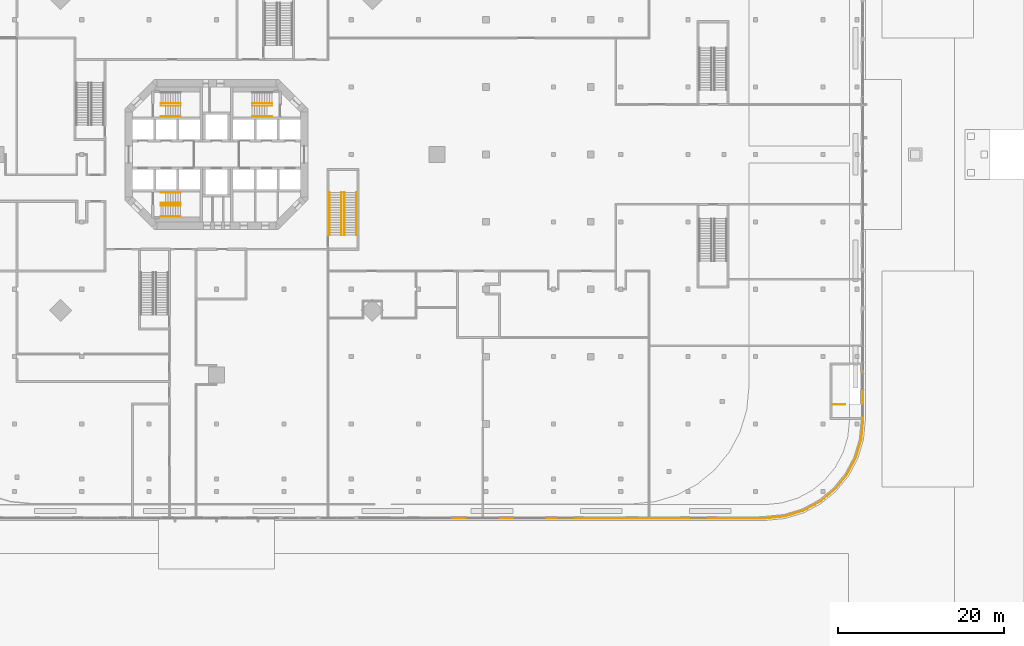
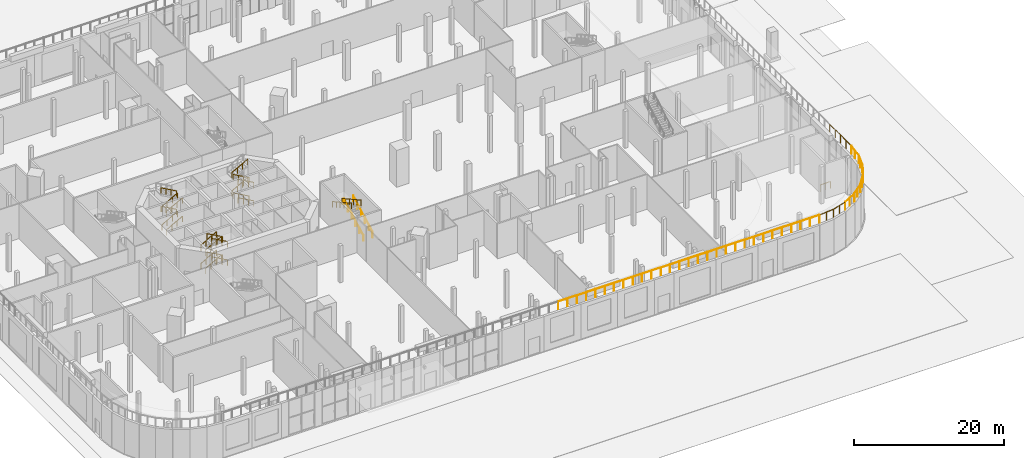
# One storey, part 28 of 32: 41 railings, 1 element without a shape of its own.
"""IFC4 building model written with IfcOpenShell, lengths in metres."""

from ifc_helpers import new_model, si_unit, direction, frame, origin, origin_2d, place, context, subcontext, project, spatial, rectangle, extrude, material, type_object, element, aggregate, save


model = new_model("IFC4")

# Units and contexts
model_context = context("Model", 3, precision=1e-05, world=origin(), true_north=direction((0.0, 1.0)))
body_context = subcontext(model_context, "Body", "Model", "MODEL_VIEW")
ifc_project = project(units=[si_unit("LENGTHUNIT", "METRE"), si_unit("AREAUNIT", "SQUARE_METRE"), si_unit("VOLUMEUNIT", "CUBIC_METRE"), si_unit("PLANEANGLEUNIT", "RADIAN"), si_unit("MASSUNIT", "GRAM", prefix="KILO")], contexts=[model_context])

# Site, building, storey
site_placement = place(None, origin())
site = spatial("IfcSite", under=ifc_project, at=site_placement, CompositionType="ELEMENT")
building_placement = place(site_placement, origin())
building = spatial("IfcBuilding", under=site, at=building_placement, Name="Torre Triforio", CompositionType="ELEMENT")
storey_placement = place(building_placement, origin())
storey = spatial("IfcBuildingStorey", under=building, at=storey_placement, Name="L00", CompositionType="ELEMENT", Elevation=0.0)

# Railings
ifc_material_1 = material(Name="Stainless steel AISI 316", Category="steel")
railing_type_1 = type_object("IfcRailingType", Name="HANDRAIL 920", PredefinedType="HANDRAIL", material=ifc_material_1)
for number, where, name in (
    (1, (-6.699951171875, 4.550048828125, 0.166748046875), "Handrail ST1"),
    (2, (-6.699951171875, 5.85009765625, 0.166748046875), "Handrail ST1"),
):
    element("IfcRailing", number, at=place(storey_placement, frame(where)), inside=storey, type_object=railing_type_1, Name=name, PredefinedType="HANDRAIL", context=body_context, shape_type="SweptSolid", body=[
        extrude(rectangle(XDim=0.048095703125, YDim=0.048095703125, at=origin_2d()), frame((0.0, 0.0, 0.89599609375), z_axis=(0.874161470802, 0.0, 0.485635380677), x_axis=(0.0, 1.0, 0.0)), (0.0, 0.0, 1.0), 2.745361328125),
        extrude(rectangle(XDim=0.0419921875, YDim=0.0419921875, at=origin_2d()), origin(), (0.0, 0.0, 1.0), 0.871826171875),
        extrude(rectangle(XDim=0.0419921875, YDim=0.0419921875, at=origin_2d()), frame((0.800048828125, 0.0, 0.4443359375)), (0.0, 0.0, 1.0), 0.871826171875),
        extrude(rectangle(XDim=0.0419921875, YDim=0.0419921875, at=origin_2d()), frame((1.599853515625, 0.0, 0.888916015625)), (0.0, 0.0, 1.0), 0.871826171875),
        extrude(rectangle(XDim=0.0419921875, YDim=0.0419921875, at=origin_2d()), frame((2.39990234375, 0.0, 1.333251953125)), (0.0, 0.0, 1.0), 0.871826171875),
    ])
railing_1_placement = place(storey_placement, frame((-4.300048828125, 6.14990234375, 1.666748046875)))
element("IfcRailing", 3, at=railing_1_placement, inside=storey, type_object=railing_type_1, Name="Handrail ST1", PredefinedType="HANDRAIL", context=body_context, shape_type="SweptSolid", body=[
    extrude(rectangle(XDim=0.048095703125, YDim=0.048095703125, at=origin_2d()), frame((0.0, 0.0, 0.89599609375), z_axis=(-0.874161470802, 0.0, 0.485635380677), x_axis=(0.0, -1.0, 0.0)), (0.0, 0.0, 1.0), 2.745361328125),
    extrude(rectangle(XDim=0.0419921875, YDim=0.0419921875, at=origin_2d()), origin(), (0.0, 0.0, 1.0), 0.871826171875),
    extrude(rectangle(XDim=0.0419921875, YDim=0.0419921875, at=origin_2d()), frame((-0.800048828125, 0.0, 0.4443359375)), (0.0, 0.0, 1.0), 0.871826171875),
    extrude(rectangle(XDim=0.0419921875, YDim=0.0419921875, at=origin_2d()), frame((-1.599853515625, 0.0, 0.888916015625)), (0.0, 0.0, 1.0), 0.871826171875),
    extrude(rectangle(XDim=0.0419921875, YDim=0.0419921875, at=origin_2d()), frame((-2.39990234375, 0.0, 1.333251953125)), (0.0, 0.0, 1.0), 0.871826171875),
])
for number, where, name in (
    (4, (-6.699951171875, 4.550048828125, 3.166748046875), "Handrail ST1"),
    (5, (-6.699951171875, 5.85009765625, 3.166748046875), "Handrail ST1"),
):
    element("IfcRailing", number, at=place(storey_placement, frame(where)), inside=storey, type_object=railing_type_1, Name=name, PredefinedType="HANDRAIL", context=body_context, shape_type="SweptSolid", body=[
        extrude(rectangle(XDim=0.048095703125, YDim=0.048095703125, at=origin_2d()), frame((0.0, 0.0, 0.89599609375), z_axis=(0.874161470802, 0.0, 0.485635380677), x_axis=(0.0, 1.0, 0.0)), (0.0, 0.0, 1.0), 2.745361328125),
        extrude(rectangle(XDim=0.0419921875, YDim=0.0419921875, at=origin_2d()), origin(), (0.0, 0.0, 1.0), 0.871826171875),
        extrude(rectangle(XDim=0.0419921875, YDim=0.0419921875, at=origin_2d()), frame((0.800048828125, 0.0, 0.4443359375)), (0.0, 0.0, 1.0), 0.871826171875),
        extrude(rectangle(XDim=0.0419921875, YDim=0.0419921875, at=origin_2d()), frame((1.599853515625, 0.0, 0.888916015625)), (0.0, 0.0, 1.0), 0.871826171875),
        extrude(rectangle(XDim=0.0419921875, YDim=0.0419921875, at=origin_2d()), frame((2.39990234375, 0.0, 1.333251953125)), (0.0, 0.0, 1.0), 0.871826171875),
    ])
for number, where, name in (
    (6, (-4.300048828125, 6.14990234375, 4.666748046875), "Handrail ST1"),
    (7, (6.699951171875, 4.550048828125, 0.166748046875), "Handrail ST2"),
    (8, (6.699951171875, 5.85009765625, 0.166748046875), "Handrail ST2"),
):
    element("IfcRailing", number, at=place(storey_placement, frame(where)), inside=storey, type_object=railing_type_1, Name=name, PredefinedType="HANDRAIL", context=body_context, shape_type="SweptSolid", body=[
        extrude(rectangle(XDim=0.048095703125, YDim=0.048095703125, at=origin_2d()), frame((0.0, 0.0, 0.89599609375), z_axis=(-0.874161470802, 0.0, 0.485635380677), x_axis=(0.0, -1.0, 0.0)), (0.0, 0.0, 1.0), 2.745361328125),
        extrude(rectangle(XDim=0.0419921875, YDim=0.0419921875, at=origin_2d()), origin(), (0.0, 0.0, 1.0), 0.871826171875),
        extrude(rectangle(XDim=0.0419921875, YDim=0.0419921875, at=origin_2d()), frame((-0.800048828125, 0.0, 0.4443359375)), (0.0, 0.0, 1.0), 0.871826171875),
        extrude(rectangle(XDim=0.0419921875, YDim=0.0419921875, at=origin_2d()), frame((-1.599853515625, 0.0, 0.888916015625)), (0.0, 0.0, 1.0), 0.871826171875),
        extrude(rectangle(XDim=0.0419921875, YDim=0.0419921875, at=origin_2d()), frame((-2.39990234375, 0.0, 1.333251953125)), (0.0, 0.0, 1.0), 0.871826171875),
    ])
railing_2_placement = place(storey_placement, frame((4.300048828125, 6.14990234375, 1.666748046875)))
element("IfcRailing", 9, at=railing_2_placement, inside=storey, type_object=railing_type_1, Name="Handrail ST2", PredefinedType="HANDRAIL", context=body_context, shape_type="SweptSolid", body=[
    extrude(rectangle(XDim=0.048095703125, YDim=0.048095703125, at=origin_2d()), frame((0.0, 0.0, 0.89599609375), z_axis=(0.874161470802, 0.0, 0.485635380677), x_axis=(0.0, 1.0, 0.0)), (0.0, 0.0, 1.0), 2.745361328125),
    extrude(rectangle(XDim=0.0419921875, YDim=0.0419921875, at=origin_2d()), origin(), (0.0, 0.0, 1.0), 0.871826171875),
    extrude(rectangle(XDim=0.0419921875, YDim=0.0419921875, at=origin_2d()), frame((0.800048828125, 0.0, 0.4443359375)), (0.0, 0.0, 1.0), 0.871826171875),
    extrude(rectangle(XDim=0.0419921875, YDim=0.0419921875, at=origin_2d()), frame((1.599853515625, 0.0, 0.888916015625)), (0.0, 0.0, 1.0), 0.871826171875),
    extrude(rectangle(XDim=0.0419921875, YDim=0.0419921875, at=origin_2d()), frame((2.39990234375, 0.0, 1.333251953125)), (0.0, 0.0, 1.0), 0.871826171875),
])
for number, where, name in (
    (10, (6.699951171875, 4.550048828125, 3.166748046875), "Handrail ST2"),
    (11, (6.699951171875, 5.85009765625, 3.166748046875), "Handrail ST2"),
):
    element("IfcRailing", number, at=place(storey_placement, frame(where)), inside=storey, type_object=railing_type_1, Name=name, PredefinedType="HANDRAIL", context=body_context, shape_type="SweptSolid", body=[
        extrude(rectangle(XDim=0.048095703125, YDim=0.048095703125, at=origin_2d()), frame((0.0, 0.0, 0.89599609375), z_axis=(-0.874161470802, 0.0, 0.485635380677), x_axis=(0.0, -1.0, 0.0)), (0.0, 0.0, 1.0), 2.745361328125),
        extrude(rectangle(XDim=0.0419921875, YDim=0.0419921875, at=origin_2d()), origin(), (0.0, 0.0, 1.0), 0.871826171875),
        extrude(rectangle(XDim=0.0419921875, YDim=0.0419921875, at=origin_2d()), frame((-0.800048828125, 0.0, 0.4443359375)), (0.0, 0.0, 1.0), 0.871826171875),
        extrude(rectangle(XDim=0.0419921875, YDim=0.0419921875, at=origin_2d()), frame((-1.599853515625, 0.0, 0.888916015625)), (0.0, 0.0, 1.0), 0.871826171875),
        extrude(rectangle(XDim=0.0419921875, YDim=0.0419921875, at=origin_2d()), frame((-2.39990234375, 0.0, 1.333251953125)), (0.0, 0.0, 1.0), 0.871826171875),
    ])
for number, where, name in (
    (12, (4.300048828125, 6.14990234375, 4.666748046875), "Handrail ST2"),
    (13, (-6.699951171875, -4.550048828125, 0.166748046875), "Handrail ST3"),
    (14, (-6.699951171875, -5.85009765625, 0.166748046875), "Handrail ST3"),
):
    element("IfcRailing", number, at=place(storey_placement, frame(where)), inside=storey, type_object=railing_type_1, Name=name, PredefinedType="HANDRAIL", context=body_context, shape_type="SweptSolid", body=[
        extrude(rectangle(XDim=0.048095703125, YDim=0.048095703125, at=origin_2d()), frame((0.0, 0.0, 0.89599609375), z_axis=(0.874161470802, 0.0, 0.485635380677), x_axis=(0.0, 1.0, 0.0)), (0.0, 0.0, 1.0), 2.745361328125),
        extrude(rectangle(XDim=0.0419921875, YDim=0.0419921875, at=origin_2d()), origin(), (0.0, 0.0, 1.0), 0.871826171875),
        extrude(rectangle(XDim=0.0419921875, YDim=0.0419921875, at=origin_2d()), frame((0.800048828125, 0.0, 0.4443359375)), (0.0, 0.0, 1.0), 0.871826171875),
        extrude(rectangle(XDim=0.0419921875, YDim=0.0419921875, at=origin_2d()), frame((1.599853515625, 0.0, 0.888916015625)), (0.0, 0.0, 1.0), 0.871826171875),
        extrude(rectangle(XDim=0.0419921875, YDim=0.0419921875, at=origin_2d()), frame((2.39990234375, 0.0, 1.333251953125)), (0.0, 0.0, 1.0), 0.871826171875),
    ])
for number, where, name in (
    (15, (-4.300048828125, -7.449951171875, 1.666748046875), "Handrail ST3"),
    (16, (-4.300048828125, -6.14990234375, 1.666748046875), "Handrail ST3"),
):
    element("IfcRailing", number, at=place(storey_placement, frame(where)), inside=storey, type_object=railing_type_1, Name=name, PredefinedType="HANDRAIL", context=body_context, shape_type="SweptSolid", body=[
        extrude(rectangle(XDim=0.048095703125, YDim=0.048095703125, at=origin_2d()), frame((0.0, 0.0, 0.89599609375), z_axis=(-0.874161470802, 0.0, 0.485635380677), x_axis=(0.0, -1.0, 0.0)), (0.0, 0.0, 1.0), 2.745361328125),
        extrude(rectangle(XDim=0.0419921875, YDim=0.0419921875, at=origin_2d()), origin(), (0.0, 0.0, 1.0), 0.871826171875),
        extrude(rectangle(XDim=0.0419921875, YDim=0.0419921875, at=origin_2d()), frame((-0.800048828125, 0.0, 0.4443359375)), (0.0, 0.0, 1.0), 0.871826171875),
        extrude(rectangle(XDim=0.0419921875, YDim=0.0419921875, at=origin_2d()), frame((-1.599853515625, 0.0, 0.888916015625)), (0.0, 0.0, 1.0), 0.871826171875),
        extrude(rectangle(XDim=0.0419921875, YDim=0.0419921875, at=origin_2d()), frame((-2.39990234375, 0.0, 1.333251953125)), (0.0, 0.0, 1.0), 0.871826171875),
    ])
for number, where, name in (
    (17, (-6.699951171875, -4.550048828125, 3.166748046875), "Handrail ST3"),
    (18, (-6.699951171875, -5.85009765625, 3.166748046875), "Handrail ST3"),
):
    element("IfcRailing", number, at=place(storey_placement, frame(where)), inside=storey, type_object=railing_type_1, Name=name, PredefinedType="HANDRAIL", context=body_context, shape_type="SweptSolid", body=[
        extrude(rectangle(XDim=0.048095703125, YDim=0.048095703125, at=origin_2d()), frame((0.0, 0.0, 0.89599609375), z_axis=(0.874161470802, 0.0, 0.485635380677), x_axis=(0.0, 1.0, 0.0)), (0.0, 0.0, 1.0), 2.745361328125),
        extrude(rectangle(XDim=0.0419921875, YDim=0.0419921875, at=origin_2d()), origin(), (0.0, 0.0, 1.0), 0.871826171875),
        extrude(rectangle(XDim=0.0419921875, YDim=0.0419921875, at=origin_2d()), frame((0.800048828125, 0.0, 0.4443359375)), (0.0, 0.0, 1.0), 0.871826171875),
        extrude(rectangle(XDim=0.0419921875, YDim=0.0419921875, at=origin_2d()), frame((1.599853515625, 0.0, 0.888916015625)), (0.0, 0.0, 1.0), 0.871826171875),
        extrude(rectangle(XDim=0.0419921875, YDim=0.0419921875, at=origin_2d()), frame((2.39990234375, 0.0, 1.333251953125)), (0.0, 0.0, 1.0), 0.871826171875),
    ])
for number, where, name in (
    (19, (-4.300048828125, -7.449951171875, 4.666748046875), "Handrail ST3"),
    (20, (-4.300048828125, -6.14990234375, 4.666748046875), "Handrail ST3"),
):
    element("IfcRailing", number, at=place(storey_placement, frame(where)), inside=storey, type_object=railing_type_1, Name=name, PredefinedType="HANDRAIL", context=body_context, shape_type="SweptSolid", body=[
        extrude(rectangle(XDim=0.048095703125, YDim=0.048095703125, at=origin_2d()), frame((0.0, 0.0, 0.89599609375), z_axis=(-0.874161470802, 0.0, 0.485635380677), x_axis=(0.0, -1.0, 0.0)), (0.0, 0.0, 1.0), 2.745361328125),
        extrude(rectangle(XDim=0.0419921875, YDim=0.0419921875, at=origin_2d()), origin(), (0.0, 0.0, 1.0), 0.871826171875),
        extrude(rectangle(XDim=0.0419921875, YDim=0.0419921875, at=origin_2d()), frame((-0.800048828125, 0.0, 0.4443359375)), (0.0, 0.0, 1.0), 0.871826171875),
        extrude(rectangle(XDim=0.0419921875, YDim=0.0419921875, at=origin_2d()), frame((-1.599853515625, 0.0, 0.888916015625)), (0.0, 0.0, 1.0), 0.871826171875),
        extrude(rectangle(XDim=0.0419921875, YDim=0.0419921875, at=origin_2d()), frame((-2.39990234375, 0.0, 1.333251953125)), (0.0, 0.0, 1.0), 0.871826171875),
    ])

# Stair, railings
ifc_material_2 = material(Name="Concrete C40", Category="concrete")
stair_type = type_object("IfcStairType", Name="Egress stair 1400 clear", PredefinedType="NOTDEFINED", material=ifc_material_2)
stair_placement = place(storey_placement, origin())
stair = element("IfcStair", 21, at=stair_placement, inside=storey, type_object=stair_type, Name="Exit stair PS2 L00 to L01", PredefinedType="NOTDEFINED")
railing_type_2 = type_object("IfcRailingType", Name="Stair handrail 920", PredefinedType="HANDRAIL", material=ifc_material_1)
railing_3_placement = place(storey_placement, frame((15.375, -9.675048828125, 0.166748046875)))
railing_3 = element("IfcRailing", 22, at=railing_3_placement, type_object=railing_type_2, Name="Handrail PS2", PredefinedType="HANDRAIL", context=body_context, shape_type="SweptSolid", body=[
    extrude(rectangle(XDim=0.048095703125, YDim=0.048095703125, at=origin_2d()), frame((0.0, 0.0, 0.89599609375), z_axis=(0.0, 0.874167145328, 0.485625166182), x_axis=(-1.0, 0.0, 0.0)), (0.0, 0.0, 1.0), 5.834228515625),
    extrude(rectangle(XDim=0.0419921875, YDim=0.0419921875, at=origin_2d()), origin(), (0.0, 0.0, 1.0), 0.871826171875),
    extrude(rectangle(XDim=0.0419921875, YDim=0.0419921875, at=origin_2d()), frame((0.0, 1.02001953125, 0.566650390625)), (0.0, 0.0, 1.0), 0.871826171875),
    extrude(rectangle(XDim=0.0419921875, YDim=0.0419921875, at=origin_2d()), frame((0.0, 2.0400390625, 1.13330078125)), (0.0, 0.0, 1.0), 0.871826171875),
    extrude(rectangle(XDim=0.0419921875, YDim=0.0419921875, at=origin_2d()), frame((0.0, 3.06005859375, 1.699951171875)), (0.0, 0.0, 1.0), 0.871826171875),
    extrude(rectangle(XDim=0.0419921875, YDim=0.0419921875, at=origin_2d()), frame((0.0, 4.080078125, 2.2666015625)), (0.0, 0.0, 1.0), 0.871826171875),
    extrude(rectangle(XDim=0.0419921875, YDim=0.0419921875, at=origin_2d()), frame((0.0, 5.10009765625, 2.833251953125)), (0.0, 0.0, 1.0), 0.871826171875),
])
railing_4_placement = place(storey_placement, frame((16.824951171875, -9.675048828125, 0.166748046875)))
railing_4 = element("IfcRailing", 23, at=railing_4_placement, type_object=railing_type_2, Name="Handrail PS2", PredefinedType="HANDRAIL", context=body_context, shape_type="SweptSolid", body=[
    extrude(rectangle(XDim=0.048095703125, YDim=0.048095703125, at=origin_2d()), frame((0.0, 0.0, 0.89599609375), z_axis=(0.0, 0.874167145328, 0.485625166182), x_axis=(-1.0, 0.0, 0.0)), (0.0, 0.0, 1.0), 5.834228515625),
    extrude(rectangle(XDim=0.0419921875, YDim=0.0419921875, at=origin_2d()), origin(), (0.0, 0.0, 1.0), 0.871826171875),
    extrude(rectangle(XDim=0.0419921875, YDim=0.0419921875, at=origin_2d()), frame((0.0, 1.02001953125, 0.566650390625)), (0.0, 0.0, 1.0), 0.871826171875),
    extrude(rectangle(XDim=0.0419921875, YDim=0.0419921875, at=origin_2d()), frame((0.0, 2.0400390625, 1.13330078125)), (0.0, 0.0, 1.0), 0.871826171875),
    extrude(rectangle(XDim=0.0419921875, YDim=0.0419921875, at=origin_2d()), frame((0.0, 3.06005859375, 1.699951171875)), (0.0, 0.0, 1.0), 0.871826171875),
    extrude(rectangle(XDim=0.0419921875, YDim=0.0419921875, at=origin_2d()), frame((0.0, 4.080078125, 2.2666015625)), (0.0, 0.0, 1.0), 0.871826171875),
    extrude(rectangle(XDim=0.0419921875, YDim=0.0419921875, at=origin_2d()), frame((0.0, 5.10009765625, 2.833251953125)), (0.0, 0.0, 1.0), 0.871826171875),
])
railing_5_placement = place(storey_placement, frame((13.574951171875, -4.574951171875, 3.166748046875)))
railing_5 = element("IfcRailing", 24, at=railing_5_placement, type_object=railing_type_2, Name="Handrail PS2", PredefinedType="HANDRAIL", context=body_context, shape_type="SweptSolid", body=[
    extrude(rectangle(XDim=0.048095703125, YDim=0.048095703125, at=origin_2d()), frame((0.0, 0.0, 0.89599609375), z_axis=(0.0, -0.874167145328, 0.485625166182), x_axis=(1.0, 0.0, 0.0)), (0.0, 0.0, 1.0), 5.834228515625),
    extrude(rectangle(XDim=0.0419921875, YDim=0.0419921875, at=origin_2d()), origin(), (0.0, 0.0, 1.0), 0.871826171875),
    extrude(rectangle(XDim=0.0419921875, YDim=0.0419921875, at=origin_2d()), frame((0.0, -1.02001953125, 0.566650390625)), (0.0, 0.0, 1.0), 0.871826171875),
    extrude(rectangle(XDim=0.0419921875, YDim=0.0419921875, at=origin_2d()), frame((0.0, -2.0400390625, 1.13330078125)), (0.0, 0.0, 1.0), 0.871826171875),
    extrude(rectangle(XDim=0.0419921875, YDim=0.0419921875, at=origin_2d()), frame((0.0, -3.06005859375, 1.699951171875)), (0.0, 0.0, 1.0), 0.871826171875),
    extrude(rectangle(XDim=0.0419921875, YDim=0.0419921875, at=origin_2d()), frame((0.0, -4.080078125, 2.2666015625)), (0.0, 0.0, 1.0), 0.871826171875),
    extrude(rectangle(XDim=0.0419921875, YDim=0.0419921875, at=origin_2d()), frame((0.0, -5.10009765625, 2.833251953125)), (0.0, 0.0, 1.0), 0.871826171875),
])
railing_6_placement = place(storey_placement, frame((15.02490234375, -4.574951171875, 3.166748046875)))
railing_6 = element("IfcRailing", 25, at=railing_6_placement, type_object=railing_type_2, Name="Handrail PS2", PredefinedType="HANDRAIL", context=body_context, shape_type="SweptSolid", body=[
    extrude(rectangle(XDim=0.048095703125, YDim=0.048095703125, at=origin_2d()), frame((0.0, 0.0, 0.89599609375), z_axis=(0.0, -0.874167145328, 0.485625166182), x_axis=(1.0, 0.0, 0.0)), (0.0, 0.0, 1.0), 5.834228515625),
    extrude(rectangle(XDim=0.0419921875, YDim=0.0419921875, at=origin_2d()), origin(), (0.0, 0.0, 1.0), 0.871826171875),
    extrude(rectangle(XDim=0.0419921875, YDim=0.0419921875, at=origin_2d()), frame((0.0, -1.02001953125, 0.566650390625)), (0.0, 0.0, 1.0), 0.871826171875),
    extrude(rectangle(XDim=0.0419921875, YDim=0.0419921875, at=origin_2d()), frame((0.0, -2.0400390625, 1.13330078125)), (0.0, 0.0, 1.0), 0.871826171875),
    extrude(rectangle(XDim=0.0419921875, YDim=0.0419921875, at=origin_2d()), frame((0.0, -3.06005859375, 1.699951171875)), (0.0, 0.0, 1.0), 0.871826171875),
    extrude(rectangle(XDim=0.0419921875, YDim=0.0419921875, at=origin_2d()), frame((0.0, -4.080078125, 2.2666015625)), (0.0, 0.0, 1.0), 0.871826171875),
    extrude(rectangle(XDim=0.0419921875, YDim=0.0419921875, at=origin_2d()), frame((0.0, -5.10009765625, 2.833251953125)), (0.0, 0.0, 1.0), 0.871826171875),
])
aggregate(stair, [railing_3, railing_4, railing_5, railing_6])

# Railings
railing_type_3 = type_object("IfcRailingType", Name="Stair well guard 1100", PredefinedType="GUARDRAIL", material=ifc_material_1)
railing_7_placement = place(storey_placement, frame((74.02490234375, -30.074951171875, 0.0)))
element("IfcRailing", 26, at=railing_7_placement, inside=storey, type_object=railing_type_3, Name="Guard BS3 L00", PredefinedType="GUARDRAIL", context=body_context, shape_type="SweptSolid", body=[
    extrude(rectangle(XDim=0.048095703125, YDim=0.048095703125, at=origin_2d()), frame((0.0, 0.0, 1.076171875), z_axis=(1.0, 0.0, 0.0), x_axis=(0.0, 1.0, 0.0)), (0.0, 0.0, 1.0), 1.550048828125),
    extrude(rectangle(XDim=0.0419921875, YDim=0.0419921875, at=origin_2d()), origin(), (0.0, 0.0, 1.0), 1.052001953125),
    extrude(rectangle(XDim=0.0419921875, YDim=0.0419921875, at=origin_2d()), frame((0.77490234375, 0.0, 0.0)), (0.0, 0.0, 1.0), 1.052001953125),
    extrude(rectangle(XDim=0.0419921875, YDim=0.0419921875, at=origin_2d()), frame((1.550048828125, 0.0, 0.0)), (0.0, 0.0, 1.0), 1.052001953125),
])
railing_type_4 = type_object("IfcRailingType", Name="Terrace balustrade 1300", PredefinedType="BALUSTRADE", material=ifc_material_1)
railing_8_placement = place(storey_placement, frame((65.98779296875, -43.75, 6.0)))
element("IfcRailing", 27, at=railing_8_placement, inside=storey, type_object=railing_type_4, Name="Terrace T1 balustrade 01", PredefinedType="BALUSTRADE", context=body_context, shape_type="SweptSolid", body=[
    extrude(rectangle(XDim=0.050048828125, YDim=0.050048828125, at=origin_2d()), frame((0.0, 0.0, 1.27490234375), z_axis=(0.99518021916, 0.098062895086, 0.0), x_axis=(-0.098062895086, 0.99518021916, 0.0)), (0.0, 0.0, 1.0), 2.3154296875),
    extrude(rectangle(XDim=0.0400390625, YDim=0.0400390625, at=origin_2d()), origin(), (0.0, 0.0, 1.0), 1.25),
    extrude(rectangle(XDim=0.0400390625, YDim=0.0400390625, at=origin_2d()), frame((1.152099609375, 0.113525390625, 0.0)), (0.0, 0.0, 1.0), 1.25),
    extrude(rectangle(XDim=0.0400390625, YDim=0.0400390625, at=origin_2d()), frame((2.30419921875, 0.22705078125, 0.0)), (0.0, 0.0, 1.0), 1.25),
])
railing_9_placement = place(storey_placement, frame((68.2919921875, -43.52294921875, 6.0)))
element("IfcRailing", 28, at=railing_9_placement, inside=storey, type_object=railing_type_4, Name="Terrace T1 balustrade 02", PredefinedType="BALUSTRADE", context=body_context, shape_type="SweptSolid", body=[
    extrude(rectangle(XDim=0.050048828125, YDim=0.050048828125, at=origin_2d()), frame((0.0, 0.0, 1.27490234375), z_axis=(0.956958408929, 0.290225091232, 0.0), x_axis=(-0.290225091232, 0.956958408929, 0.0)), (0.0, 0.0, 1.0), 2.30322265625),
    extrude(rectangle(XDim=0.0400390625, YDim=0.0400390625, at=origin_2d()), origin(), (0.0, 0.0, 1.0), 1.25),
    extrude(rectangle(XDim=0.0400390625, YDim=0.0400390625, at=origin_2d()), frame((1.10205078125, 0.334228515625, 0.0)), (0.0, 0.0, 1.0), 1.25),
    extrude(rectangle(XDim=0.0400390625, YDim=0.0400390625, at=origin_2d()), frame((2.2041015625, 0.66845703125, 0.0)), (0.0, 0.0, 1.0), 1.25),
])
railing_10_placement = place(storey_placement, frame((70.49609375, -42.8544921875, 6.0)))
element("IfcRailing", 29, at=railing_10_placement, inside=storey, type_object=railing_type_4, Name="Terrace T1 balustrade 03", PredefinedType="BALUSTRADE", context=body_context, shape_type="SweptSolid", body=[
    extrude(rectangle(XDim=0.050048828125, YDim=0.050048828125, at=origin_2d()), frame((0.0, 0.0, 1.27490234375), z_axis=(0.881927109982, 0.471385800251, 0.0), x_axis=(-0.471385800251, 0.881927109982, 0.0)), (0.0, 0.0, 1.0), 2.30322265625),
    extrude(rectangle(XDim=0.0400390625, YDim=0.0400390625, at=origin_2d()), origin(), (0.0, 0.0, 1.0), 1.25),
    extrude(rectangle(XDim=0.0400390625, YDim=0.0400390625, at=origin_2d()), frame((1.015625, 0.54296875, 0.0)), (0.0, 0.0, 1.0), 1.25),
    extrude(rectangle(XDim=0.0400390625, YDim=0.0400390625, at=origin_2d()), frame((2.03125, 1.085693359375, 0.0)), (0.0, 0.0, 1.0), 1.25),
])
railing_11_placement = place(storey_placement, frame((72.52734375, -41.768798828125, 6.0)))
element("IfcRailing", 30, at=railing_11_placement, inside=storey, type_object=railing_type_4, Name="Terrace T1 balustrade 04", PredefinedType="BALUSTRADE", context=body_context, shape_type="SweptSolid", body=[
    extrude(rectangle(XDim=0.050048828125, YDim=0.050048828125, at=origin_2d()), frame((0.0, 0.0, 1.27490234375), z_axis=(0.772978729137, 0.634431938273, 0.0), x_axis=(-0.634431938273, 0.772978729137, 0.0)), (0.0, 0.0, 1.0), 2.30322265625),
    extrude(rectangle(XDim=0.0400390625, YDim=0.0400390625, at=origin_2d()), origin(), (0.0, 0.0, 1.0), 1.25),
    extrude(rectangle(XDim=0.0400390625, YDim=0.0400390625, at=origin_2d()), frame((0.89013671875, 0.73046875, 0.0)), (0.0, 0.0, 1.0), 1.25),
    extrude(rectangle(XDim=0.0400390625, YDim=0.0400390625, at=origin_2d()), frame((1.7802734375, 1.461181640625, 0.0)), (0.0, 0.0, 1.0), 1.25),
])
railing_12_placement = place(storey_placement, frame((74.3076171875, -40.3076171875, 6.0)))
element("IfcRailing", 31, at=railing_12_placement, inside=storey, type_object=railing_type_4, Name="Terrace T1 balustrade 05", PredefinedType="BALUSTRADE", context=body_context, shape_type="SweptSolid", body=[
    extrude(rectangle(XDim=0.050048828125, YDim=0.050048828125, at=origin_2d()), frame((0.0, 0.0, 1.27490234375), z_axis=(0.634431938273, 0.772978729137, 0.0), x_axis=(-0.772978729137, 0.634431938273, 0.0)), (0.0, 0.0, 1.0), 2.30322265625),
    extrude(rectangle(XDim=0.0400390625, YDim=0.0400390625, at=origin_2d()), origin(), (0.0, 0.0, 1.0), 1.25),
    extrude(rectangle(XDim=0.0400390625, YDim=0.0400390625, at=origin_2d()), frame((0.73046875, 0.89013671875, 0.0)), (0.0, 0.0, 1.0), 1.25),
    extrude(rectangle(XDim=0.0400390625, YDim=0.0400390625, at=origin_2d()), frame((1.461181640625, 1.7802734375, 0.0)), (0.0, 0.0, 1.0), 1.25),
])
railing_13_placement = place(storey_placement, frame((75.768798828125, -38.52734375, 6.0)))
element("IfcRailing", 32, at=railing_13_placement, inside=storey, type_object=railing_type_4, Name="Terrace T1 balustrade 06", PredefinedType="BALUSTRADE", context=body_context, shape_type="SweptSolid", body=[
    extrude(rectangle(XDim=0.050048828125, YDim=0.050048828125, at=origin_2d()), frame((0.0, 0.0, 1.27490234375), z_axis=(0.471385800251, 0.881927109982, 0.0), x_axis=(-0.881927109982, 0.471385800251, 0.0)), (0.0, 0.0, 1.0), 2.30322265625),
    extrude(rectangle(XDim=0.0400390625, YDim=0.0400390625, at=origin_2d()), origin(), (0.0, 0.0, 1.0), 1.25),
    extrude(rectangle(XDim=0.0400390625, YDim=0.0400390625, at=origin_2d()), frame((0.54296875, 1.015625, 0.0)), (0.0, 0.0, 1.0), 1.25),
    extrude(rectangle(XDim=0.0400390625, YDim=0.0400390625, at=origin_2d()), frame((1.085693359375, 2.03125, 0.0)), (0.0, 0.0, 1.0), 1.25),
])
railing_14_placement = place(storey_placement, frame((76.8544921875, -36.49609375, 6.0)))
element("IfcRailing", 33, at=railing_14_placement, inside=storey, type_object=railing_type_4, Name="Terrace T1 balustrade 07", PredefinedType="BALUSTRADE", context=body_context, shape_type="SweptSolid", body=[
    extrude(rectangle(XDim=0.050048828125, YDim=0.050048828125, at=origin_2d()), frame((0.0, 0.0, 1.27490234375), z_axis=(0.290225091232, 0.956958408929, 0.0), x_axis=(-0.956958408929, 0.290225091232, 0.0)), (0.0, 0.0, 1.0), 2.30322265625),
    extrude(rectangle(XDim=0.0400390625, YDim=0.0400390625, at=origin_2d()), origin(), (0.0, 0.0, 1.0), 1.25),
    extrude(rectangle(XDim=0.0400390625, YDim=0.0400390625, at=origin_2d()), frame((0.334228515625, 1.10205078125, 0.0)), (0.0, 0.0, 1.0), 1.25),
    extrude(rectangle(XDim=0.0400390625, YDim=0.0400390625, at=origin_2d()), frame((0.66845703125, 2.2041015625, 0.0)), (0.0, 0.0, 1.0), 1.25),
])
railing_15_placement = place(storey_placement, frame((77.52294921875, -34.2919921875, 6.0)))
element("IfcRailing", 34, at=railing_15_placement, inside=storey, type_object=railing_type_4, Name="Terrace T1 balustrade 08", PredefinedType="BALUSTRADE", context=body_context, shape_type="SweptSolid", body=[
    extrude(rectangle(XDim=0.050048828125, YDim=0.050048828125, at=origin_2d()), frame((0.0, 0.0, 1.27490234375), z_axis=(0.098062895086, 0.99518021916, 0.0), x_axis=(-0.99518021916, 0.098062895086, 0.0)), (0.0, 0.0, 1.0), 2.3154296875),
    extrude(rectangle(XDim=0.0400390625, YDim=0.0400390625, at=origin_2d()), origin(), (0.0, 0.0, 1.0), 1.25),
    extrude(rectangle(XDim=0.0400390625, YDim=0.0400390625, at=origin_2d()), frame((0.113525390625, 1.152099609375, 0.0)), (0.0, 0.0, 1.0), 1.25),
    extrude(rectangle(XDim=0.0400390625, YDim=0.0400390625, at=origin_2d()), frame((0.22705078125, 2.30419921875, 0.0)), (0.0, 0.0, 1.0), 1.25),
])
railing_16_placement = place(storey_placement, frame((77.75, -31.98779296875, 6.0)))
element("IfcRailing", 35, at=railing_16_placement, inside=storey, type_object=railing_type_4, Name="Terrace T1 balustrade 09.1", PredefinedType="BALUSTRADE", context=body_context, shape_type="SweptSolid", body=[
    extrude(rectangle(XDim=0.050048828125, YDim=0.050048828125, at=origin_2d()), frame((0.0, 0.0, 1.27490234375), z_axis=(0.0, 1.0, 0.0), x_axis=(-1.0, 0.0, 0.0)), (0.0, 0.0, 1.0), 5.81591796875),
    extrude(rectangle(XDim=0.0400390625, YDim=0.0400390625, at=origin_2d()), origin(), (0.0, 0.0, 1.0), 1.25),
    extrude(rectangle(XDim=0.0400390625, YDim=0.0400390625, at=origin_2d()), frame((0.0, 1.4541015625, 0.0)), (0.0, 0.0, 1.0), 1.25),
    extrude(rectangle(XDim=0.0400390625, YDim=0.0400390625, at=origin_2d()), frame((0.0, 2.907958984375, 0.0)), (0.0, 0.0, 1.0), 1.25),
    extrude(rectangle(XDim=0.0400390625, YDim=0.0400390625, at=origin_2d()), frame((0.0, 4.36181640625, 0.0)), (0.0, 0.0, 1.0), 1.25),
    extrude(rectangle(XDim=0.0400390625, YDim=0.0400390625, at=origin_2d()), frame((0.0, 5.81591796875, 0.0)), (0.0, 0.0, 1.0), 1.25),
])
railing_17_placement = place(storey_placement, frame((25.74853515625, -43.75, 6.0)))
element("IfcRailing", 36, at=railing_17_placement, inside=storey, type_object=railing_type_4, Name="Terrace T1 balustrade 36.10", PredefinedType="BALUSTRADE", context=body_context, shape_type="SweptSolid", body=[
    extrude(rectangle(XDim=0.050048828125, YDim=0.050048828125, at=origin_2d()), frame((0.0, 0.0, 1.27490234375), z_axis=(1.0, 0.0, 0.0), x_axis=(0.0, 1.0, 0.0)), (0.0, 0.0, 1.0), 5.748291015625),
    extrude(rectangle(XDim=0.0400390625, YDim=0.0400390625, at=origin_2d()), origin(), (0.0, 0.0, 1.0), 1.25),
    extrude(rectangle(XDim=0.0400390625, YDim=0.0400390625, at=origin_2d()), frame((1.43701171875, 0.0, 0.0)), (0.0, 0.0, 1.0), 1.25),
    extrude(rectangle(XDim=0.0400390625, YDim=0.0400390625, at=origin_2d()), frame((2.8740234375, 0.0, 0.0)), (0.0, 0.0, 1.0), 1.25),
    extrude(rectangle(XDim=0.0400390625, YDim=0.0400390625, at=origin_2d()), frame((4.311279296875, 0.0, 0.0)), (0.0, 0.0, 1.0), 1.25),
    extrude(rectangle(XDim=0.0400390625, YDim=0.0400390625, at=origin_2d()), frame((5.748291015625, 0.0, 0.0)), (0.0, 0.0, 1.0), 1.25),
])
for number, where, name in (
    (37, (31.496826171875, -43.75, 6.0), "Terrace T1 balustrade 36.11"),
    (38, (37.245361328125, -43.75, 6.0), "Terrace T1 balustrade 36.12"),
):
    element("IfcRailing", number, at=place(storey_placement, frame(where)), inside=storey, type_object=railing_type_4, Name=name, PredefinedType="BALUSTRADE", context=body_context, shape_type="SweptSolid", body=[
        extrude(rectangle(XDim=0.050048828125, YDim=0.050048828125, at=origin_2d()), frame((0.0, 0.0, 1.27490234375), z_axis=(1.0, 0.0, 0.0), x_axis=(0.0, 1.0, 0.0)), (0.0, 0.0, 1.0), 5.74853515625),
        extrude(rectangle(XDim=0.0400390625, YDim=0.0400390625, at=origin_2d()), origin(), (0.0, 0.0, 1.0), 1.25),
        extrude(rectangle(XDim=0.0400390625, YDim=0.0400390625, at=origin_2d()), frame((1.43701171875, 0.0, 0.0)), (0.0, 0.0, 1.0), 1.25),
        extrude(rectangle(XDim=0.0400390625, YDim=0.0400390625, at=origin_2d()), frame((2.874267578125, 0.0, 0.0)), (0.0, 0.0, 1.0), 1.25),
        extrude(rectangle(XDim=0.0400390625, YDim=0.0400390625, at=origin_2d()), frame((4.3115234375, 0.0, 0.0)), (0.0, 0.0, 1.0), 1.25),
        extrude(rectangle(XDim=0.0400390625, YDim=0.0400390625, at=origin_2d()), frame((5.74853515625, 0.0, 0.0)), (0.0, 0.0, 1.0), 1.25),
    ])
railing_18_placement = place(storey_placement, frame((42.993896484375, -43.75, 6.0)))
element("IfcRailing", 39, at=railing_18_placement, inside=storey, type_object=railing_type_4, Name="Terrace T1 balustrade 36.13", PredefinedType="BALUSTRADE", context=body_context, shape_type="SweptSolid", body=[
    extrude(rectangle(XDim=0.050048828125, YDim=0.050048828125, at=origin_2d()), frame((0.0, 0.0, 1.27490234375), z_axis=(1.0, 0.0, 0.0), x_axis=(0.0, 1.0, 0.0)), (0.0, 0.0, 1.0), 5.748291015625),
    extrude(rectangle(XDim=0.0400390625, YDim=0.0400390625, at=origin_2d()), origin(), (0.0, 0.0, 1.0), 1.25),
    extrude(rectangle(XDim=0.0400390625, YDim=0.0400390625, at=origin_2d()), frame((1.43701171875, 0.0, 0.0)), (0.0, 0.0, 1.0), 1.25),
    extrude(rectangle(XDim=0.0400390625, YDim=0.0400390625, at=origin_2d()), frame((2.8740234375, 0.0, 0.0)), (0.0, 0.0, 1.0), 1.25),
    extrude(rectangle(XDim=0.0400390625, YDim=0.0400390625, at=origin_2d()), frame((4.311279296875, 0.0, 0.0)), (0.0, 0.0, 1.0), 1.25),
    extrude(rectangle(XDim=0.0400390625, YDim=0.0400390625, at=origin_2d()), frame((5.748291015625, 0.0, 0.0)), (0.0, 0.0, 1.0), 1.25),
])
for number, where, name in (
    (40, (48.7421875, -43.75, 6.0), "Terrace T1 balustrade 36.14"),
    (41, (54.49072265625, -43.75, 6.0), "Terrace T1 balustrade 36.15"),
    (42, (60.2392578125, -43.75, 6.0), "Terrace T1 balustrade 36.16"),
):
    element("IfcRailing", number, at=place(storey_placement, frame(where)), inside=storey, type_object=railing_type_4, Name=name, PredefinedType="BALUSTRADE", context=body_context, shape_type="SweptSolid", body=[
        extrude(rectangle(XDim=0.050048828125, YDim=0.050048828125, at=origin_2d()), frame((0.0, 0.0, 1.27490234375), z_axis=(1.0, 0.0, 0.0), x_axis=(0.0, 1.0, 0.0)), (0.0, 0.0, 1.0), 5.74853515625),
        extrude(rectangle(XDim=0.0400390625, YDim=0.0400390625, at=origin_2d()), origin(), (0.0, 0.0, 1.0), 1.25),
        extrude(rectangle(XDim=0.0400390625, YDim=0.0400390625, at=origin_2d()), frame((1.43701171875, 0.0, 0.0)), (0.0, 0.0, 1.0), 1.25),
        extrude(rectangle(XDim=0.0400390625, YDim=0.0400390625, at=origin_2d()), frame((2.874267578125, 0.0, 0.0)), (0.0, 0.0, 1.0), 1.25),
        extrude(rectangle(XDim=0.0400390625, YDim=0.0400390625, at=origin_2d()), frame((4.3115234375, 0.0, 0.0)), (0.0, 0.0, 1.0), 1.25),
        extrude(rectangle(XDim=0.0400390625, YDim=0.0400390625, at=origin_2d()), frame((5.74853515625, 0.0, 0.0)), (0.0, 0.0, 1.0), 1.25),
    ])

save(model, "model.ifc")
